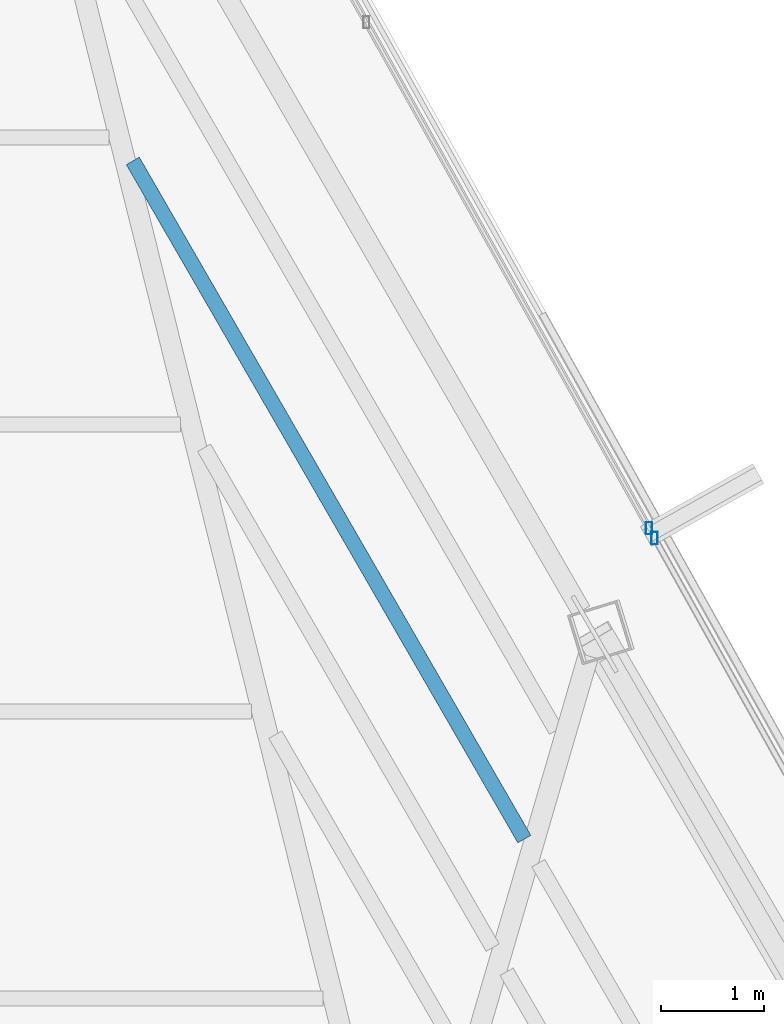
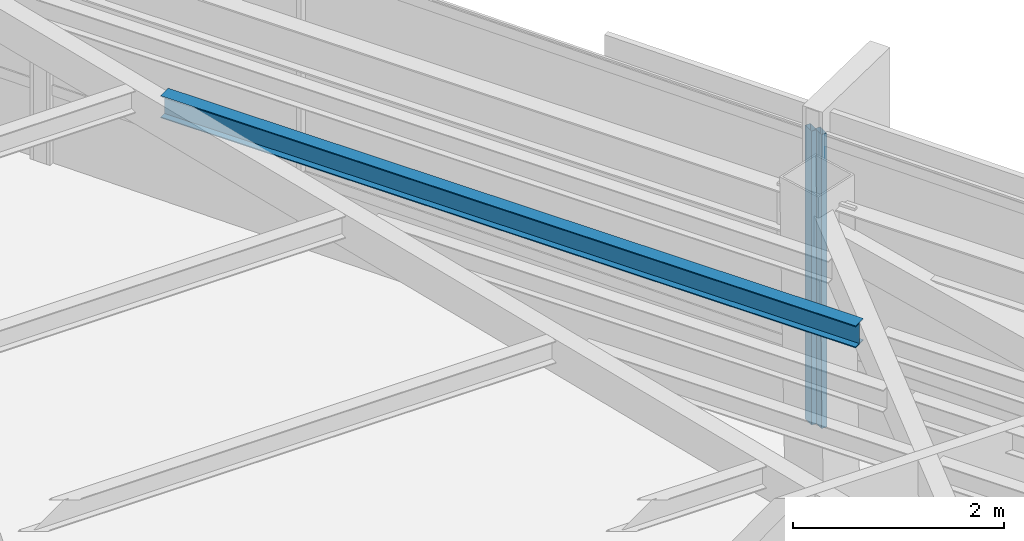
# One storey, part 32 of 45: 2 members, 1 beam, 2 elements without a shape of their own.
"""IFC4 building model written with IfcOpenShell, lengths in metres."""

from ifc_helpers import new_model, si_unit, direction, frame, origin, origin_2d, place, context, subcontext, project, spatial, hollow_rectangle, i_section, extrude, source, transform, mapped, material, material_profile, profile_set, type_object, type_shapes, element, aggregate, save


model = new_model("IFC4")

# Units and contexts
model_context = context("Model", 3, precision=1e-05, world=origin(), true_north=direction((0.0, 1.0)))
body_context = subcontext(model_context, "Body", "Model", "MODEL_VIEW")
ifc_project = project(units=[si_unit("LENGTHUNIT", "METRE"), si_unit("AREAUNIT", "SQUARE_METRE"), si_unit("VOLUMEUNIT", "CUBIC_METRE"), si_unit("PLANEANGLEUNIT", "RADIAN"), si_unit("MASSUNIT", "GRAM", prefix="KILO")], contexts=[model_context])

# Site, building, storey
site_placement = place(None, origin())
site = spatial("IfcSite", under=ifc_project, at=site_placement, CompositionType="ELEMENT")
building_placement = place(site_placement, origin())
building = spatial("IfcBuilding", under=site, at=building_placement, Name="Caelisora Broadcast Tower", CompositionType="ELEMENT")
storey_placement = place(building_placement, frame((0.0, 0.0, 273.64990234375)))
storey = spatial("IfcBuildingStorey", under=building, at=storey_placement, Name="L72", CompositionType="ELEMENT", Elevation=273.64990234375)

# Beam
ifc_material_1 = material(Name="Steel Grade 350 (AS/NZS 3679.1)", Category="steel")
ifc_material_profile_1 = material_profile(ifc_material_1, i_section(OverallWidth=0.14599609375, OverallDepth=0.256103515625, WebThickness=0.00634765625, FlangeThickness=0.010986328125, at=origin_2d()), Name="Steel Grade 350 (AS/NZS 3679.1)")
ifc_profile_set_1 = profile_set([ifc_material_profile_1], Name="Steel Grade 350 (AS/NZS 3679.1)")
beam_type = type_object("IfcBeamType", Name="SB04", PredefinedType="JOIST", material=ifc_profile_set_1)
shared_shape_1 = source(origin(), body_context, "Body", "SweptSolid", [
    extrude(i_section(OverallWidth=0.14599609375, OverallDepth=0.256103515625, WebThickness=0.00634765625, FlangeThickness=0.010986328125, at=origin_2d()), origin(), (0.0, 0.0, 1.0), 7.6025390625),
])
type_shapes(beam_type, [shared_shape_1])
beam_placement = place(storey_placement, frame((46.662353515625, 34.331787109375, 3.27197265625), z_axis=(-0.500000432093, 0.866025154315, 0.0), x_axis=(-0.866025154315, -0.500000432093, 0.0)))
element("IfcBeam", 1, at=beam_placement, inside=storey, type_object=beam_type, Name="L72 beam SB04", PredefinedType="JOIST", context=body_context, shape_type="MappedRepresentation", body=[
    mapped(shared_shape_1, transform((0.0, 0.0, 0.0), scale=1.0)),
])

# Curtain wall, member
ifc_material_2 = material(Name="Unitised Aluminium and Low-E Glass Curtain Wall", Category="glass")
curtain_wall_type_1 = type_object("IfcCurtainWallType", Name="CW-Z5", PredefinedType="NOTDEFINED", material=ifc_material_2)
curtain_wall_1_placement = place(storey_placement, origin())
curtain_wall_1 = element("IfcCurtainWall", 2, at=curtain_wall_1_placement, inside=storey, type_object=curtain_wall_type_1, Name="L72 curtain wall CW-Z5", PredefinedType="NOTDEFINED")
ifc_material_3 = material(Name="Aluminium 6063-T6 Anodised Terracotta Bronze", Category="aluminium")
ifc_material_profile_2 = material_profile(ifc_material_3, hollow_rectangle(XDim=0.06005859375, YDim=0.1201171875, WallThickness=0.0029296875, at=origin_2d()), Name="Aluminium 6063-T6 Anodised Terracotta Bronze")
ifc_profile_set_2 = profile_set([ifc_material_profile_2], Name="Aluminium 6063-T6 Anodised Terracotta Bronze")
member_type = type_object("IfcMemberType", Name="CWM-04", PredefinedType="MULLION", material=ifc_profile_set_2)
shared_shape_2 = source(origin(), body_context, "Body", "SweptSolid", [
    extrude(hollow_rectangle(XDim=0.06005859375, YDim=0.1201171875, WallThickness=0.0029296875, at=origin_2d()), origin(), (0.0, 0.0, 1.0), 3.400146484375),
])
type_shapes(member_type, [shared_shape_2])
member_1_placement = place(storey_placement, frame((47.873046875, 37.349365234375, 0.0), z_axis=(0.0, 0.0, 1.0), x_axis=(1.0, 0.0, 0.0)))
member_1 = element("IfcMember", 3, at=member_1_placement, type_object=member_type, Name="L72-CW-B01 mullion #3", PredefinedType="MULLION", context=body_context, shape_type="MappedRepresentation", body=[
    mapped(shared_shape_2, transform((0.0, 0.0, 0.0), scale=1.0)),
])
aggregate(curtain_wall_1, [member_1])

ifc_material_4 = material(Name="Unitised Aluminium Insulated Shadow-Box Spandrel Curtain Wall", Category="aluminium")
curtain_wall_type_2 = type_object("IfcCurtainWallType", Name="CW-SP3", PredefinedType="NOTDEFINED", material=ifc_material_4)
curtain_wall_2_placement = place(storey_placement, origin())
curtain_wall_2 = element("IfcCurtainWall", 4, at=curtain_wall_2_placement, inside=storey, type_object=curtain_wall_type_2, Name="L72 curtain wall CW-SP3", PredefinedType="NOTDEFINED")
member_2_placement = place(storey_placement, frame((47.926513671875, 37.25341796875, 0.0), z_axis=(0.0, 0.0, 1.0), x_axis=(1.0, 0.0, 0.0)))
member_2 = element("IfcMember", 5, at=member_2_placement, type_object=member_type, Name="L72-CW-B02 mullion #0", PredefinedType="MULLION", context=body_context, shape_type="MappedRepresentation", body=[
    mapped(shared_shape_2, transform((0.0, 0.0, 0.0), scale=1.0)),
])
aggregate(curtain_wall_2, [member_2])

save(model, "model.ifc")
